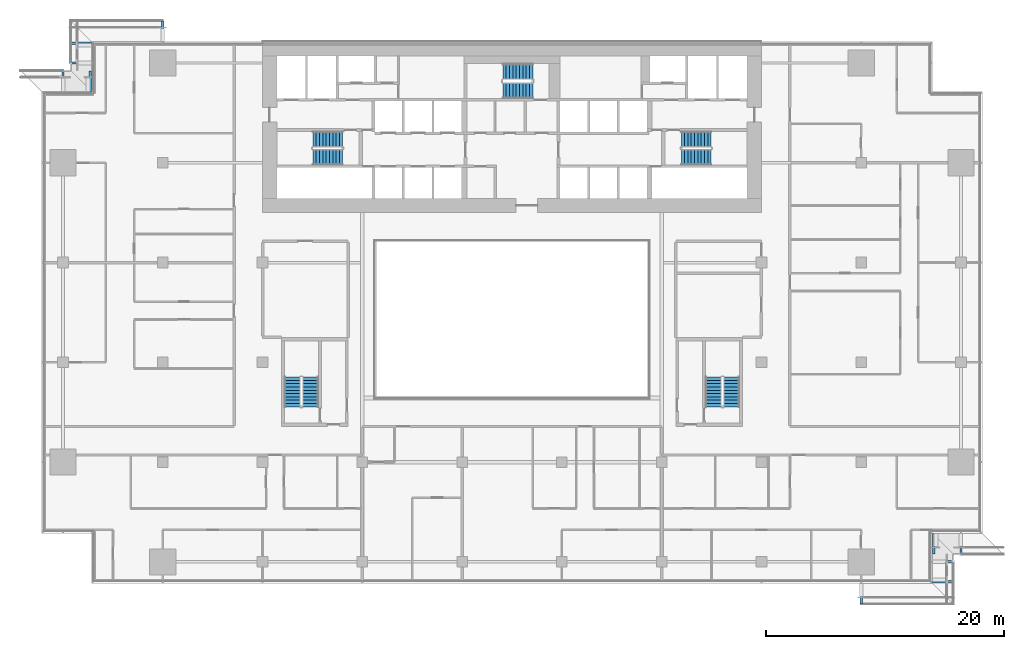
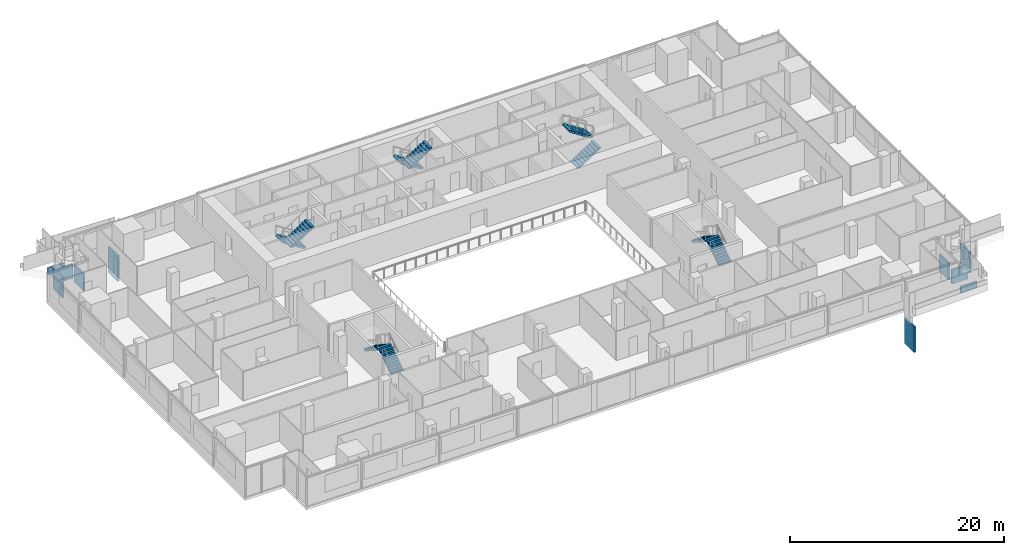
# One storey, part 25 of 30: 10 discrete accessories, 10 stair flights, 5 elements without a shape of their own.
"""IFC4 building model written with IfcOpenShell, lengths in metres."""

from ifc_helpers import new_model, si_unit, direction, frame, origin, origin_2d, place, context, subcontext, project, spatial, polyline, rectangle, outline, extrude, material, type_object, element, aggregate, save


model = new_model("IFC4")

# Units and contexts
model_context = context("Model", 3, precision=1e-05, world=origin(), true_north=direction((0.0, 1.0)))
body_context = subcontext(model_context, "Body", "Model", "MODEL_VIEW")
ifc_project = project(units=[si_unit("LENGTHUNIT", "METRE"), si_unit("AREAUNIT", "SQUARE_METRE"), si_unit("VOLUMEUNIT", "CUBIC_METRE"), si_unit("PLANEANGLEUNIT", "RADIAN"), si_unit("MASSUNIT", "GRAM", prefix="KILO")], contexts=[model_context])

# Site, building, storey
site_placement = place(None, origin())
site = spatial("IfcSite", under=ifc_project, at=site_placement, CompositionType="ELEMENT")
building_placement = place(site_placement, origin())
building = spatial("IfcBuilding", under=site, at=building_placement, Name="Saffron Gate Tower", CompositionType="ELEMENT")
storey_placement = place(building_placement, frame((0.0, 0.0, 69.60009765625)))
storey = spatial("IfcBuildingStorey", under=building, at=storey_placement, Name="L16", CompositionType="ELEMENT", Elevation=69.60009765625)

# Stair, stair flights
ifc_material = material(Name="Concrete C40", Category="concrete")
stair_type = type_object("IfcStairType", Name="ST7 Stair 1350 wide, 20 risers of 180", PredefinedType="HALF_TURN_STAIR", material=ifc_material)
stair_1_placement = place(storey_placement, origin())
stair_1 = element("IfcStair", 1, at=stair_1_placement, inside=storey, type_object=stair_type, Name="L16 Exit stair A", PredefinedType="HALF_TURN_STAIR")
stair_flight_type = type_object("IfcStairFlightType", Name="SF3 Stair flight 1350 wide, riser 180 going 280", PredefinedType="STRAIGHT", material=ifc_material)
stair_flight_1_placement = place(storey_placement, frame((73.35009765625, 67.375, 0.0), z_axis=(0.0, 0.0, 1.0), x_axis=(-1.0, 0.0, 0.0)))
stair_flight_1 = element("IfcStairFlight", 2, at=stair_flight_1_placement, type_object=stair_flight_type, Name="ST-A flight 1", NumberOfRisers=10, NumberOfTreads=9, PredefinedType="STRAIGHT", RiserHeight=0.18, TreadLength=0.28, context=body_context, shape_type="SweptSolid", body=[
    extrude(outline(polyline([(0.0, 0.0), (0.0, 0.179931640625), (0.280029296875, 0.179931640625), (0.280029296875, 0.360107421875), (0.56005859375, 0.360107421875), (0.56005859375, 0.5400390625), (0.840087890625, 0.5400390625), (0.840087890625, 0.719970703125), (1.1201171875, 0.719970703125), (1.1201171875, 0.89990234375), (1.39990234375, 0.89990234375), (1.39990234375, 1.080078125), (1.679931640625, 1.080078125), (1.679931640625, 1.260009765625), (1.9599609375, 1.260009765625), (1.9599609375, 1.43994140625), (2.239990234375, 1.43994140625), (2.239990234375, 1.6201171875), (2.52001953125, 1.6201171875), (2.52001953125, 1.800048828125), (2.52001953125, 1.44189453125), (0.277099609375, 0.0), (0.0, 0.0)])), frame((0.0, 0.675048828125, 0.0), z_axis=(0.0, -1.0, 0.0), x_axis=(1.0, 0.0, 0.0)), (0.0, 0.0, 1.0), 1.35009765625),
])
stair_flight_2_placement = place(storey_placement, frame((70.830078125, 65.875, 1.7998046875), z_axis=(0.0, 0.0, 1.0), x_axis=(1.0, 0.0, 0.0)))
stair_flight_2 = element("IfcStairFlight", 3, at=stair_flight_2_placement, type_object=stair_flight_type, Name="ST-A flight 2", NumberOfRisers=10, NumberOfTreads=9, PredefinedType="STRAIGHT", RiserHeight=0.18, TreadLength=0.28, context=body_context, shape_type="SweptSolid", body=[
    extrude(outline(polyline([(0.0, 0.0), (0.0, 0.179931640625), (0.280029296875, 0.179931640625), (0.280029296875, 0.360107421875), (0.56005859375, 0.360107421875), (0.56005859375, 0.5400390625), (0.840087890625, 0.5400390625), (0.840087890625, 0.719970703125), (1.1201171875, 0.719970703125), (1.1201171875, 0.89990234375), (1.39990234375, 0.89990234375), (1.39990234375, 1.080078125), (1.679931640625, 1.080078125), (1.679931640625, 1.260009765625), (1.9599609375, 1.260009765625), (1.9599609375, 1.43994140625), (2.239990234375, 1.43994140625), (2.239990234375, 1.6201171875), (2.52001953125, 1.6201171875), (2.52001953125, 1.800048828125), (2.52001953125, 1.44189453125), (0.277099609375, 0.0), (0.0, 0.0)])), frame((0.0, 0.675048828125, 0.0), z_axis=(0.0, -1.0, 0.0), x_axis=(1.0, 0.0, 0.0)), (0.0, 0.0, 1.0), 1.35009765625),
])
aggregate(stair_1, [stair_flight_1, stair_flight_2])

stair_2_placement = place(storey_placement, origin())
stair_2 = element("IfcStair", 4, at=stair_2_placement, inside=storey, type_object=stair_type, Name="L16 Exit stair B", PredefinedType="HALF_TURN_STAIR")
stair_flight_3_placement = place(storey_placement, frame((101.85009765625, 65.875, 0.0), z_axis=(0.0, 0.0, 1.0), x_axis=(1.0, 0.0, 0.0)))
stair_flight_3 = element("IfcStairFlight", 5, at=stair_flight_3_placement, type_object=stair_flight_type, Name="ST-B flight 1", NumberOfRisers=10, NumberOfTreads=9, PredefinedType="STRAIGHT", RiserHeight=0.18, TreadLength=0.28, context=body_context, shape_type="SweptSolid", body=[
    extrude(outline(polyline([(0.0, 0.0), (0.0, 0.179931640625), (0.280029296875, 0.179931640625), (0.280029296875, 0.360107421875), (0.56005859375, 0.360107421875), (0.56005859375, 0.5400390625), (0.840087890625, 0.5400390625), (0.840087890625, 0.719970703125), (1.1201171875, 0.719970703125), (1.1201171875, 0.89990234375), (1.39990234375, 0.89990234375), (1.39990234375, 1.080078125), (1.679931640625, 1.080078125), (1.679931640625, 1.260009765625), (1.9599609375, 1.260009765625), (1.9599609375, 1.43994140625), (2.239990234375, 1.43994140625), (2.239990234375, 1.6201171875), (2.52001953125, 1.6201171875), (2.52001953125, 1.800048828125), (2.52001953125, 1.44189453125), (0.277099609375, 0.0), (0.0, 0.0)])), frame((0.0, 0.675048828125, 0.0), z_axis=(0.0, -1.0, 0.0), x_axis=(1.0, 0.0, 0.0)), (0.0, 0.0, 1.0), 1.35009765625),
])
stair_flight_4_placement = place(storey_placement, frame((104.3701171875, 67.375, 1.7998046875), z_axis=(0.0, 0.0, 1.0), x_axis=(-1.0, 0.0, 0.0)))
stair_flight_4 = element("IfcStairFlight", 6, at=stair_flight_4_placement, type_object=stair_flight_type, Name="ST-B flight 2", NumberOfRisers=10, NumberOfTreads=9, PredefinedType="STRAIGHT", RiserHeight=0.18, TreadLength=0.28, context=body_context, shape_type="SweptSolid", body=[
    extrude(outline(polyline([(0.0, 0.0), (0.0, 0.179931640625), (0.280029296875, 0.179931640625), (0.280029296875, 0.360107421875), (0.56005859375, 0.360107421875), (0.56005859375, 0.5400390625), (0.840087890625, 0.5400390625), (0.840087890625, 0.719970703125), (1.1201171875, 0.719970703125), (1.1201171875, 0.89990234375), (1.39990234375, 0.89990234375), (1.39990234375, 1.080078125), (1.679931640625, 1.080078125), (1.679931640625, 1.260009765625), (1.9599609375, 1.260009765625), (1.9599609375, 1.43994140625), (2.239990234375, 1.43994140625), (2.239990234375, 1.6201171875), (2.52001953125, 1.6201171875), (2.52001953125, 1.800048828125), (2.52001953125, 1.44189453125), (0.277099609375, 0.0), (0.0, 0.0)])), frame((0.0, 0.675048828125, 0.0), z_axis=(0.0, -1.0, 0.0), x_axis=(1.0, 0.0, 0.0)), (0.0, 0.0, 1.0), 1.35009765625),
])
aggregate(stair_2, [stair_flight_3, stair_flight_4])

stair_3_placement = place(storey_placement, origin())
stair_3 = element("IfcStair", 7, at=stair_3_placement, inside=storey, type_object=stair_type, Name="L16 Exit stair C", PredefinedType="HALF_TURN_STAIR")
stair_flight_5_placement = place(storey_placement, frame((89.35009765625, 73.074951171875, 0.0), z_axis=(0.0, 0.0, 1.0), x_axis=(-1.0, 0.0, 0.0)))
stair_flight_5 = element("IfcStairFlight", 8, at=stair_flight_5_placement, type_object=stair_flight_type, Name="ST-C flight 1", NumberOfRisers=10, NumberOfTreads=9, PredefinedType="STRAIGHT", RiserHeight=0.18, TreadLength=0.28, context=body_context, shape_type="SweptSolid", body=[
    extrude(outline(polyline([(0.0, 0.0), (0.0, 0.179931640625), (0.280029296875, 0.179931640625), (0.280029296875, 0.360107421875), (0.56005859375, 0.360107421875), (0.56005859375, 0.5400390625), (0.840087890625, 0.5400390625), (0.840087890625, 0.719970703125), (1.1201171875, 0.719970703125), (1.1201171875, 0.89990234375), (1.39990234375, 0.89990234375), (1.39990234375, 1.080078125), (1.679931640625, 1.080078125), (1.679931640625, 1.260009765625), (1.9599609375, 1.260009765625), (1.9599609375, 1.43994140625), (2.239990234375, 1.43994140625), (2.239990234375, 1.6201171875), (2.52001953125, 1.6201171875), (2.52001953125, 1.800048828125), (2.52001953125, 1.44189453125), (0.277099609375, 0.0), (0.0, 0.0)])), frame((0.0, 0.675048828125, 0.0), z_axis=(0.0, -1.0, 0.0), x_axis=(1.0, 0.0, 0.0)), (0.0, 0.0, 1.0), 1.35009765625),
])
stair_flight_6_placement = place(storey_placement, frame((86.830078125, 71.47509765625, 1.7998046875), z_axis=(0.0, 0.0, 1.0), x_axis=(1.0, 0.0, 0.0)))
stair_flight_6 = element("IfcStairFlight", 9, at=stair_flight_6_placement, type_object=stair_flight_type, Name="ST-C flight 2", NumberOfRisers=10, NumberOfTreads=9, PredefinedType="STRAIGHT", RiserHeight=0.18, TreadLength=0.28, context=body_context, shape_type="SweptSolid", body=[
    extrude(outline(polyline([(0.0, 0.0), (0.0, 0.179931640625), (0.280029296875, 0.179931640625), (0.280029296875, 0.360107421875), (0.56005859375, 0.360107421875), (0.56005859375, 0.5400390625), (0.840087890625, 0.5400390625), (0.840087890625, 0.719970703125), (1.1201171875, 0.719970703125), (1.1201171875, 0.89990234375), (1.39990234375, 0.89990234375), (1.39990234375, 1.080078125), (1.679931640625, 1.080078125), (1.679931640625, 1.260009765625), (1.9599609375, 1.260009765625), (1.9599609375, 1.43994140625), (2.239990234375, 1.43994140625), (2.239990234375, 1.6201171875), (2.52001953125, 1.6201171875), (2.52001953125, 1.800048828125), (2.52001953125, 1.44189453125), (0.277099609375, 0.0), (0.0, 0.0)])), frame((0.0, 0.675048828125, 0.0), z_axis=(0.0, -1.0, 0.0), x_axis=(1.0, 0.0, 0.0)), (0.0, 0.0, 1.0), 1.35009765625),
])
aggregate(stair_3, [stair_flight_5, stair_flight_6])

stair_4_placement = place(storey_placement, origin())
stair_4 = element("IfcStair", 10, at=stair_4_placement, inside=storey, type_object=stair_type, Name="L16 Exit stair D", PredefinedType="HALF_TURN_STAIR")
stair_flight_7_placement = place(storey_placement, frame((70.625, 44.85009765625, 0.0), z_axis=(0.0, 0.0, 1.0), x_axis=(0.0, 1.0, 0.0)))
stair_flight_7 = element("IfcStairFlight", 11, at=stair_flight_7_placement, type_object=stair_flight_type, Name="ST-D flight 1", NumberOfRisers=10, NumberOfTreads=9, PredefinedType="STRAIGHT", RiserHeight=0.18, TreadLength=0.28, context=body_context, shape_type="SweptSolid", body=[
    extrude(outline(polyline([(0.0, 0.0), (0.0, 0.179931640625), (0.280029296875, 0.179931640625), (0.280029296875, 0.360107421875), (0.56005859375, 0.360107421875), (0.56005859375, 0.5400390625), (0.840087890625, 0.5400390625), (0.840087890625, 0.719970703125), (1.1201171875, 0.719970703125), (1.1201171875, 0.89990234375), (1.39990234375, 0.89990234375), (1.39990234375, 1.080078125), (1.679931640625, 1.080078125), (1.679931640625, 1.260009765625), (1.9599609375, 1.260009765625), (1.9599609375, 1.43994140625), (2.239990234375, 1.43994140625), (2.239990234375, 1.6201171875), (2.52001953125, 1.6201171875), (2.52001953125, 1.800048828125), (2.52001953125, 1.44189453125), (0.277099609375, 0.0), (0.0, 0.0)])), frame((0.0, 0.675048828125, 0.0), z_axis=(0.0, -1.0, 0.0), x_axis=(1.0, 0.0, 0.0)), (0.0, 0.0, 1.0), 1.35009765625),
])
stair_flight_8_placement = place(storey_placement, frame((69.125, 47.3701171875, 1.7998046875), z_axis=(0.0, 0.0, 1.0), x_axis=(0.0, -1.0, 0.0)))
stair_flight_8 = element("IfcStairFlight", 12, at=stair_flight_8_placement, type_object=stair_flight_type, Name="ST-D flight 2", NumberOfRisers=10, NumberOfTreads=9, PredefinedType="STRAIGHT", RiserHeight=0.18, TreadLength=0.28, context=body_context, shape_type="SweptSolid", body=[
    extrude(outline(polyline([(0.0, 0.0), (0.0, 0.179931640625), (0.280029296875, 0.179931640625), (0.280029296875, 0.360107421875), (0.56005859375, 0.360107421875), (0.56005859375, 0.5400390625), (0.840087890625, 0.5400390625), (0.840087890625, 0.719970703125), (1.1201171875, 0.719970703125), (1.1201171875, 0.89990234375), (1.39990234375, 0.89990234375), (1.39990234375, 1.080078125), (1.679931640625, 1.080078125), (1.679931640625, 1.260009765625), (1.9599609375, 1.260009765625), (1.9599609375, 1.43994140625), (2.239990234375, 1.43994140625), (2.239990234375, 1.6201171875), (2.52001953125, 1.6201171875), (2.52001953125, 1.800048828125), (2.52001953125, 1.44189453125), (0.277099609375, 0.0), (0.0, 0.0)])), frame((0.0, 0.675048828125, 0.0), z_axis=(0.0, -1.0, 0.0), x_axis=(1.0, 0.0, 0.0)), (0.0, 0.0, 1.0), 1.35009765625),
])
aggregate(stair_4, [stair_flight_7, stair_flight_8])

stair_5_placement = place(storey_placement, origin())
stair_5 = element("IfcStair", 13, at=stair_5_placement, inside=storey, type_object=stair_type, Name="L16 Exit stair E", PredefinedType="HALF_TURN_STAIR")
stair_flight_9_placement = place(storey_placement, frame((106.074951171875, 44.85009765625, 0.0), z_axis=(0.0, 0.0, 1.0), x_axis=(0.0, 1.0, 0.0)))
stair_flight_9 = element("IfcStairFlight", 14, at=stair_flight_9_placement, type_object=stair_flight_type, Name="ST-E flight 1", NumberOfRisers=10, NumberOfTreads=9, PredefinedType="STRAIGHT", RiserHeight=0.18, TreadLength=0.28, context=body_context, shape_type="SweptSolid", body=[
    extrude(outline(polyline([(0.0, 0.0), (0.0, 0.179931640625), (0.280029296875, 0.179931640625), (0.280029296875, 0.360107421875), (0.56005859375, 0.360107421875), (0.56005859375, 0.5400390625), (0.840087890625, 0.5400390625), (0.840087890625, 0.719970703125), (1.1201171875, 0.719970703125), (1.1201171875, 0.89990234375), (1.39990234375, 0.89990234375), (1.39990234375, 1.080078125), (1.679931640625, 1.080078125), (1.679931640625, 1.260009765625), (1.9599609375, 1.260009765625), (1.9599609375, 1.43994140625), (2.239990234375, 1.43994140625), (2.239990234375, 1.6201171875), (2.52001953125, 1.6201171875), (2.52001953125, 1.800048828125), (2.52001953125, 1.44189453125), (0.277099609375, 0.0), (0.0, 0.0)])), frame((0.0, 0.675048828125, 0.0), z_axis=(0.0, -1.0, 0.0), x_axis=(1.0, 0.0, 0.0)), (0.0, 0.0, 1.0), 1.35009765625),
])
stair_flight_10_placement = place(storey_placement, frame((104.574951171875, 47.3701171875, 1.7998046875), z_axis=(0.0, 0.0, 1.0), x_axis=(0.0, -1.0, 0.0)))
stair_flight_10 = element("IfcStairFlight", 15, at=stair_flight_10_placement, type_object=stair_flight_type, Name="ST-E flight 2", NumberOfRisers=10, NumberOfTreads=9, PredefinedType="STRAIGHT", RiserHeight=0.18, TreadLength=0.28, context=body_context, shape_type="SweptSolid", body=[
    extrude(outline(polyline([(0.0, 0.0), (0.0, 0.179931640625), (0.280029296875, 0.179931640625), (0.280029296875, 0.360107421875), (0.56005859375, 0.360107421875), (0.56005859375, 0.5400390625), (0.840087890625, 0.5400390625), (0.840087890625, 0.719970703125), (1.1201171875, 0.719970703125), (1.1201171875, 0.89990234375), (1.39990234375, 0.89990234375), (1.39990234375, 1.080078125), (1.679931640625, 1.080078125), (1.679931640625, 1.260009765625), (1.9599609375, 1.260009765625), (1.9599609375, 1.43994140625), (2.239990234375, 1.43994140625), (2.239990234375, 1.6201171875), (2.52001953125, 1.6201171875), (2.52001953125, 1.800048828125), (2.52001953125, 1.44189453125), (0.277099609375, 0.0), (0.0, 0.0)])), frame((0.0, 0.675048828125, 0.0), z_axis=(0.0, -1.0, 0.0), x_axis=(1.0, 0.0, 0.0)), (0.0, 0.0, 1.0), 1.35009765625),
])
aggregate(stair_5, [stair_flight_9, stair_flight_10])

# Discrete accessories
discrete_accessory_1_placement = place(storey_placement, frame((58.199951171875, 76.47509765625, -3.8798828125), z_axis=(0.0, 0.0, 1.0), x_axis=(-1.0, 0.0, 0.0)))
element("IfcDiscreteAccessory", 16, at=discrete_accessory_1_placement, inside=storey, Name="LEDGE rib", PredefinedType="BRACKET", context=body_context, shape_type="SweptSolid", body=[
    extrude(rectangle(XDim=0.199951171875, YDim=1.75, at=origin_2d()), origin(), (0.0, 0.0, 1.0), 2.935302734375),
])
discrete_accessory_2_placement = place(storey_placement, frame((51.324951171875, 75.47998046875, -0.280029296875), z_axis=(0.0, 0.0, 1.0), x_axis=(0.0, -1.0, 0.0)))
element("IfcDiscreteAccessory", 17, at=discrete_accessory_2_placement, inside=storey, Name="LEDGE rib", PredefinedType="BRACKET", context=body_context, shape_type="SweptSolid", body=[
    extrude(rectangle(XDim=0.199951171875, YDim=1.75, at=origin_2d()), origin(), (0.0, 0.0, 1.0), 0.70849609375),
])
discrete_accessory_3_placement = place(storey_placement, frame((51.324951171875, 73.800048828125, -0.280029296875), z_axis=(0.0, 0.0, 1.0), x_axis=(0.0, -1.0, 0.0)))
element("IfcDiscreteAccessory", 18, at=discrete_accessory_3_placement, inside=storey, Name="LEDGE rib", PredefinedType="BRACKET", context=body_context, shape_type="SweptSolid", body=[
    extrude(rectangle(XDim=0.199951171875, YDim=1.75, at=origin_2d()), origin(), (0.0, 0.0, 1.0), 1.61767578125),
])
discrete_accessory_4_placement = place(storey_placement, frame((52.080078125, 72.27490234375, -0.2802734375), z_axis=(0.0, 0.0, 1.0), x_axis=(-1.0, 0.0, 0.0)))
element("IfcDiscreteAccessory", 19, at=discrete_accessory_4_placement, inside=storey, Name="LEDGE rib", PredefinedType="BRACKET", context=body_context, shape_type="SweptSolid", body=[
    extrude(rectangle(XDim=0.199951171875, YDim=1.75, at=origin_2d()), origin(), (0.0, 0.0, 1.0), 1.944091796875),
])
discrete_accessory_5_placement = place(storey_placement, frame((49.800048828125, 72.27490234375, -0.2802734375), z_axis=(0.0, 0.0, 1.0), x_axis=(-1.0, 0.0, 0.0)))
element("IfcDiscreteAccessory", 20, at=discrete_accessory_5_placement, inside=storey, Name="LEDGE rib", PredefinedType="BRACKET", context=body_context, shape_type="SweptSolid", body=[
    extrude(rectangle(XDim=0.199951171875, YDim=1.75, at=origin_2d()), origin(), (0.0, 0.0, 1.0), 2.356201171875),
])
discrete_accessory_6_placement = place(storey_placement, frame((117.0, 29.125, -3.8798828125), z_axis=(0.0, 0.0, 1.0), x_axis=(1.0, 0.0, 0.0)))
element("IfcDiscreteAccessory", 21, at=discrete_accessory_6_placement, inside=storey, Name="LEDGE rib", PredefinedType="BRACKET", context=body_context, shape_type="SweptSolid", body=[
    extrude(rectangle(XDim=0.199951171875, YDim=1.75, at=origin_2d()), origin(), (0.0, 0.0, 1.0), 2.935302734375),
])
discrete_accessory_7_placement = place(storey_placement, frame((123.875, 30.1201171875, -0.280029296875), z_axis=(0.0, 0.0, 1.0), x_axis=(0.0, 1.0, 0.0)))
element("IfcDiscreteAccessory", 22, at=discrete_accessory_7_placement, inside=storey, Name="LEDGE rib", PredefinedType="BRACKET", context=body_context, shape_type="SweptSolid", body=[
    extrude(rectangle(XDim=0.199951171875, YDim=1.75, at=origin_2d()), origin(), (0.0, 0.0, 1.0), 0.70849609375),
])
discrete_accessory_8_placement = place(storey_placement, frame((123.875, 31.800048828125, -0.280029296875), z_axis=(0.0, 0.0, 1.0), x_axis=(0.0, 1.0, 0.0)))
element("IfcDiscreteAccessory", 23, at=discrete_accessory_8_placement, inside=storey, Name="LEDGE rib", PredefinedType="BRACKET", context=body_context, shape_type="SweptSolid", body=[
    extrude(rectangle(XDim=0.199951171875, YDim=1.75, at=origin_2d()), origin(), (0.0, 0.0, 1.0), 1.61767578125),
])
discrete_accessory_9_placement = place(storey_placement, frame((123.1201171875, 33.324951171875, -0.2802734375), z_axis=(0.0, 0.0, 1.0), x_axis=(1.0, 0.0, 0.0)))
element("IfcDiscreteAccessory", 24, at=discrete_accessory_9_placement, inside=storey, Name="LEDGE rib", PredefinedType="BRACKET", context=body_context, shape_type="SweptSolid", body=[
    extrude(rectangle(XDim=0.199951171875, YDim=1.75, at=origin_2d()), origin(), (0.0, 0.0, 1.0), 1.944091796875),
])
discrete_accessory_10_placement = place(storey_placement, frame((125.39990234375, 33.324951171875, -0.2802734375), z_axis=(0.0, 0.0, 1.0), x_axis=(1.0, 0.0, 0.0)))
element("IfcDiscreteAccessory", 25, at=discrete_accessory_10_placement, inside=storey, Name="LEDGE rib", PredefinedType="BRACKET", context=body_context, shape_type="SweptSolid", body=[
    extrude(rectangle(XDim=0.199951171875, YDim=1.75, at=origin_2d()), origin(), (0.0, 0.0, 1.0), 2.356201171875),
])

save(model, "model.ifc")
